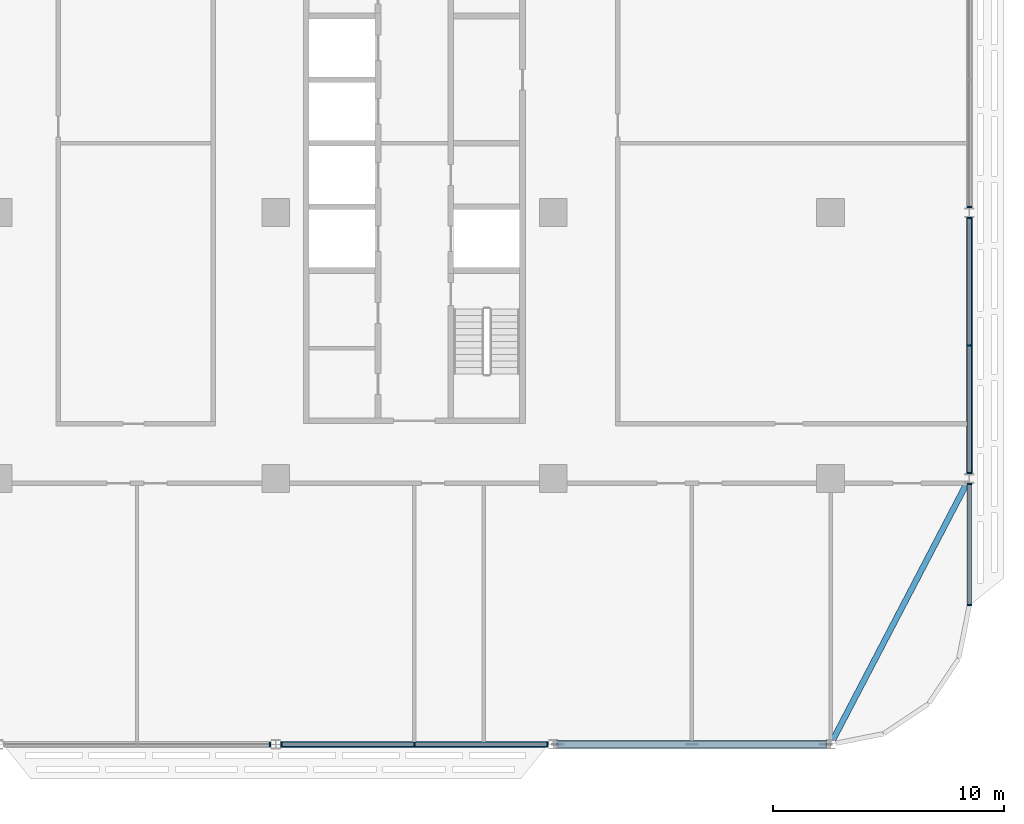
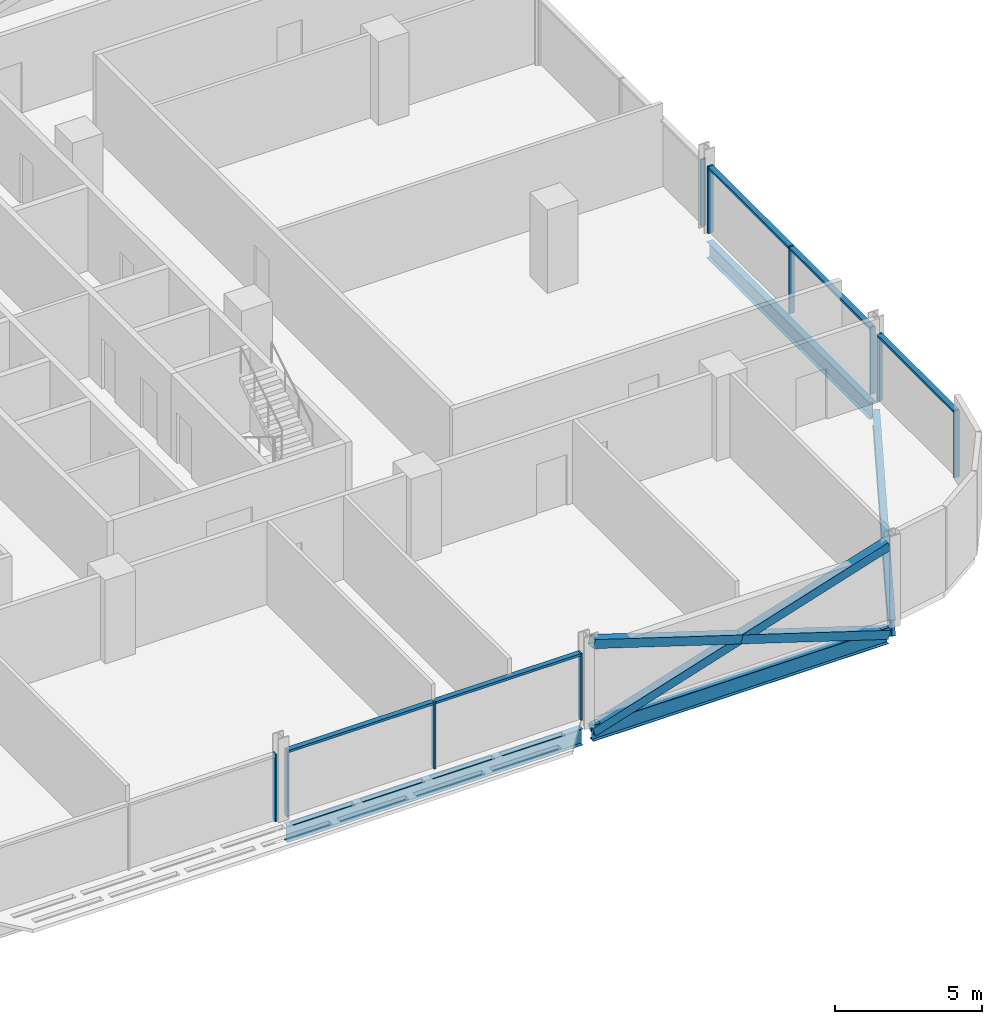
# One storey, part 8 of 27: 18 members, 4 beams, 5 elements without a shape of their own.
"""IFC4 building model written with IfcOpenShell, lengths in metres."""

from ifc_helpers import new_model, si_unit, direction, frame, origin, origin_2d, place, context, subcontext, project, spatial, rectangle, hollow_rectangle, i_section, extrude, material, material_profile, profile_set, type_object, element, aggregate, save


model = new_model("IFC4")

# Units and contexts
model_context = context("Model", 3, precision=1e-05, world=origin(), true_north=direction((0.0, 1.0)))
body_context = subcontext(model_context, "Body", "Model", "MODEL_VIEW")
ifc_project = project(units=[si_unit("LENGTHUNIT", "METRE"), si_unit("AREAUNIT", "SQUARE_METRE"), si_unit("VOLUMEUNIT", "CUBIC_METRE"), si_unit("PLANEANGLEUNIT", "RADIAN"), si_unit("MASSUNIT", "GRAM", prefix="KILO")], contexts=[model_context])

# Site, building, storey
site_placement = place(None, origin())
site = spatial("IfcSite", under=ifc_project, at=site_placement, CompositionType="ELEMENT")
building_placement = place(site_placement, origin())
building = spatial("IfcBuilding", under=site, at=building_placement, Name="Mahtab Terrace Research Tower", CompositionType="ELEMENT")
storey_placement = place(building_placement, frame((0.0, 0.0, 163.0)))
storey = spatial("IfcBuildingStorey", under=building, at=storey_placement, Name="L38", CompositionType="ELEMENT", Elevation=163.0)

# Members
ifc_material_1 = material(Name="Steel ASTM A500 Gr C", Category="steel")
ifc_material_profile_1 = material_profile(ifc_material_1, hollow_rectangle(XDim=0.355712890625, YDim=0.355712890625, WallThickness=0.015869140625, at=origin_2d()), Name="HSS14X14X5/8")
ifc_profile_set_1 = profile_set([ifc_material_profile_1], Name="Steel ASTM A500 Gr C")
member_type_1 = type_object("IfcMemberType", Name="HSS 14x14x5/8 brace XB141458", PredefinedType="BRACE", material=ifc_profile_set_1)
member_1_placement = place(storey_placement, frame((30.203125, -23.0, -0.61474609375), z_axis=(0.953341454971, 0.0, 0.301894137463), x_axis=(0.0, 1.0, 0.0)))
element("IfcMember", 1, at=member_1_placement, inside=storey, type_object=member_type_1, Name="Exoskeleton brace L38 18 a", PredefinedType="BRACE", context=body_context, shape_type="SweptSolid", body=[
    extrude(hollow_rectangle(XDim=0.355712890625, YDim=0.355712890625, WallThickness=0.015869140625, at=origin_2d()), origin(), (0.0, 0.0, 1.0), 12.1611328125),
])
for number, where, z_axis, x_axis, name in (
    (2, (41.796875, -23.0, -0.61474609375), (-0.953341454971, 0.0, 0.301894137463), (0.0, -1.0, 0.0), "Exoskeleton brace L38 18 b1"),
    (3, (36.0, -23.0, 1.220947265625), (-0.953341454971, 0.0, 0.301894137463), (0.0, -1.0, 0.0), "Exoskeleton brace L38 18 b2"),
):
    element("IfcMember", number, at=place(storey_placement, frame(where, z_axis=z_axis, x_axis=x_axis)), inside=storey, type_object=member_type_1, Name=name, PredefinedType="BRACE", context=body_context, shape_type="SweptSolid", body=[
        extrude(hollow_rectangle(XDim=0.355712890625, YDim=0.355712890625, WallThickness=0.015869140625, at=origin_2d()), origin(), (0.0, 0.0, 1.0), 6.08056640625),
    ])

# Curtain wall, member
ifc_material_2 = material(Name="Laboratory ribbon curtain wall")
curtain_wall_type = type_object("IfcCurtainWallType", Name="Laboratory ribbon curtain wall", PredefinedType="NOTDEFINED", material=ifc_material_2)
curtain_wall_1_placement = place(storey_placement, origin())
curtain_wall_1 = element("IfcCurtainWall", 4, at=curtain_wall_1_placement, inside=storey, type_object=curtain_wall_type, Name="EN.L38.13.27", PredefinedType="NOTDEFINED")
ifc_material_3 = material(Name="Natural anodised aluminium", Category="aluminium")
ifc_material_profile_2 = material_profile(ifc_material_3, rectangle(XDim=0.199951171875, YDim=0.06494140625, at=origin_2d()), Name="MULLION 65x200")
ifc_profile_set_2 = profile_set([ifc_material_profile_2], Name="Natural anodised aluminium")
member_type_2 = type_object("IfcMemberType", Name="Laboratory ribbon curtain wall mullion", PredefinedType="MULLION", material=ifc_profile_set_2)
member_2_placement = place(storey_placement, frame((17.759521484375, -23.0, 0.0), z_axis=(0.0, 0.0, 1.0), x_axis=(0.0, 1.0, 0.0)))
member_2 = element("IfcMember", 5, at=member_2_placement, type_object=member_type_2, Name="CWL-5 mullion 3", PredefinedType="MULLION", context=body_context, shape_type="SweptSolid", body=[
    extrude(rectangle(XDim=0.199951171875, YDim=0.06494140625, at=origin_2d()), origin(), (0.0, 0.0, 1.0), 2.78173828125),
])
aggregate(curtain_wall_1, [member_2])

# Curtain wall, members
curtain_wall_2_placement = place(storey_placement, origin())
curtain_wall_2 = element("IfcCurtainWall", 6, at=curtain_wall_2_placement, inside=storey, type_object=curtain_wall_type, Name="EN.L38.13.28", PredefinedType="NOTDEFINED")
member_3_placement = place(storey_placement, frame((18.240478515625, -23.0, 0.0), z_axis=(0.0, 0.0, 1.0), x_axis=(0.0, 1.0, 0.0)))
member_3 = element("IfcMember", 7, at=member_3_placement, type_object=member_type_2, Name="CWL-5 mullion 1", PredefinedType="MULLION", context=body_context, shape_type="SweptSolid", body=[
    extrude(rectangle(XDim=0.199951171875, YDim=0.06494140625, at=origin_2d()), origin(), (0.0, 0.0, 1.0), 2.78173828125),
])
member_4_placement = place(storey_placement, frame((24.0, -23.0, 0.0), z_axis=(0.0, 0.0, 1.0), x_axis=(0.0, 1.0, 0.0)))
member_4 = element("IfcMember", 8, at=member_4_placement, type_object=member_type_2, Name="CWL-5 mullion 2", PredefinedType="MULLION", context=body_context, shape_type="SweptSolid", body=[
    extrude(rectangle(XDim=0.199951171875, YDim=0.06494140625, at=origin_2d()), origin(), (0.0, 0.0, 1.0), 2.78173828125),
])
member_5_placement = place(storey_placement, frame((29.759521484375, -23.0, 0.0), z_axis=(0.0, 0.0, 1.0), x_axis=(0.0, 1.0, 0.0)))
member_5 = element("IfcMember", 9, at=member_5_placement, type_object=member_type_2, Name="CWL-5 mullion 3", PredefinedType="MULLION", context=body_context, shape_type="SweptSolid", body=[
    extrude(rectangle(XDim=0.199951171875, YDim=0.06494140625, at=origin_2d()), origin(), (0.0, 0.0, 1.0), 2.78173828125),
])

curtain_wall_3_placement = place(storey_placement, origin())
curtain_wall_3 = element("IfcCurtainWall", 10, at=curtain_wall_3_placement, inside=storey, type_object=curtain_wall_type, Name="EN.L38.18.34", PredefinedType="NOTDEFINED")
member_6_placement = place(storey_placement, frame((48.0, -16.967529296875, 0.0), z_axis=(0.0, 0.0, 1.0), x_axis=(-1.0, 0.0, 0.0)))
member_6 = element("IfcMember", 11, at=member_6_placement, type_object=member_type_2, Name="CWL-5 mullion 1", PredefinedType="MULLION", context=body_context, shape_type="SweptSolid", body=[
    extrude(rectangle(XDim=0.199951171875, YDim=0.06494140625, at=origin_2d()), origin(), (0.0, 0.0, 1.0), 2.78173828125),
])
member_7_placement = place(storey_placement, frame((48.0, -11.740478515625, 0.0), z_axis=(0.0, 0.0, 1.0), x_axis=(-1.0, 0.0, 0.0)))
member_7 = element("IfcMember", 12, at=member_7_placement, type_object=member_type_2, Name="CWL-5 mullion 2", PredefinedType="MULLION", context=body_context, shape_type="SweptSolid", body=[
    extrude(rectangle(XDim=0.199951171875, YDim=0.06494140625, at=origin_2d()), origin(), (0.0, 0.0, 1.0), 2.78173828125),
])

curtain_wall_4_placement = place(storey_placement, origin())
curtain_wall_4 = element("IfcCurtainWall", 13, at=curtain_wall_4_placement, inside=storey, type_object=curtain_wall_type, Name="EN.L38.18.35", PredefinedType="NOTDEFINED")
member_8_placement = place(storey_placement, frame((48.0, -11.259521484375, 0.0), z_axis=(0.0, 0.0, 1.0), x_axis=(-1.0, 0.0, 0.0)))
member_8 = element("IfcMember", 14, at=member_8_placement, type_object=member_type_2, Name="CWL-5 mullion 1", PredefinedType="MULLION", context=body_context, shape_type="SweptSolid", body=[
    extrude(rectangle(XDim=0.199951171875, YDim=0.06494140625, at=origin_2d()), origin(), (0.0, 0.0, 1.0), 2.78173828125),
])
member_9_placement = place(storey_placement, frame((48.0, -5.75, 0.0), z_axis=(0.0, 0.0, 1.0), x_axis=(-1.0, 0.0, 0.0)))
member_9 = element("IfcMember", 15, at=member_9_placement, type_object=member_type_2, Name="CWL-5 mullion 2", PredefinedType="MULLION", context=body_context, shape_type="SweptSolid", body=[
    extrude(rectangle(XDim=0.199951171875, YDim=0.06494140625, at=origin_2d()), origin(), (0.0, 0.0, 1.0), 2.78173828125),
])
member_10_placement = place(storey_placement, frame((48.0, -0.240478515625, 0.0), z_axis=(0.0, 0.0, 1.0), x_axis=(-1.0, 0.0, 0.0)))
member_10 = element("IfcMember", 16, at=member_10_placement, type_object=member_type_2, Name="CWL-5 mullion 3", PredefinedType="MULLION", context=body_context, shape_type="SweptSolid", body=[
    extrude(rectangle(XDim=0.199951171875, YDim=0.06494140625, at=origin_2d()), origin(), (0.0, 0.0, 1.0), 2.78173828125),
])

# Curtain wall, member
curtain_wall_5_placement = place(storey_placement, origin())
curtain_wall_5 = element("IfcCurtainWall", 17, at=curtain_wall_5_placement, inside=storey, type_object=curtain_wall_type, Name="EN.L38.18.36", PredefinedType="NOTDEFINED")
member_11_placement = place(storey_placement, frame((48.0, 0.240478515625, 0.0), z_axis=(0.0, 0.0, 1.0), x_axis=(-1.0, 0.0, 0.0)))
member_11 = element("IfcMember", 18, at=member_11_placement, type_object=member_type_2, Name="CWL-5 mullion 1", PredefinedType="MULLION", context=body_context, shape_type="SweptSolid", body=[
    extrude(rectangle(XDim=0.199951171875, YDim=0.06494140625, at=origin_2d()), origin(), (0.0, 0.0, 1.0), 2.78173828125),
])
aggregate(curtain_wall_5, [member_11])

# Member
ifc_material_profile_3 = material_profile(ifc_material_3, rectangle(XDim=0.199951171875, YDim=0.10009765625, at=origin_2d()), Name="TRANSOM 100x200")
ifc_profile_set_3 = profile_set([ifc_material_profile_3], Name="Natural anodised aluminium")
member_type_3 = type_object("IfcMemberType", Name="Laboratory ribbon curtain wall transom", PredefinedType="USERDEFINED", material=ifc_profile_set_3)
member_12_placement = place(storey_placement, frame((18.27294921875, -23.0, 2.731689453125), z_axis=(1.0, 0.0, 0.0), x_axis=(0.0, 1.0, 0.0)))
member_12 = element("IfcMember", 19, at=member_12_placement, type_object=member_type_3, Name="CWL-5 transom 1", ObjectType="TRANSOM", PredefinedType="USERDEFINED", context=body_context, shape_type="SweptSolid", body=[
    extrude(rectangle(XDim=0.199951171875, YDim=0.10009765625, at=origin_2d()), origin(), (0.0, 0.0, 1.0), 5.694580078125),
])

member_13_placement = place(storey_placement, frame((24.032470703125, -23.0, 2.731689453125), z_axis=(1.0, 0.0, 0.0), x_axis=(0.0, 1.0, 0.0)))
member_13 = element("IfcMember", 20, at=member_13_placement, type_object=member_type_3, Name="CWL-5 transom 2", ObjectType="TRANSOM", PredefinedType="USERDEFINED", context=body_context, shape_type="SweptSolid", body=[
    extrude(rectangle(XDim=0.199951171875, YDim=0.10009765625, at=origin_2d()), origin(), (0.0, 0.0, 1.0), 5.694580078125),
])

aggregate(curtain_wall_2, [member_3, member_4, member_5, member_12, member_13])

member_14_placement = place(storey_placement, frame((48.0, -16.93505859375, 2.731689453125), z_axis=(0.0, 1.0, 0.0), x_axis=(-1.0, 0.0, 0.0)))
member_14 = element("IfcMember", 21, at=member_14_placement, type_object=member_type_3, Name="CWL-5 transom 1", ObjectType="TRANSOM", PredefinedType="USERDEFINED", context=body_context, shape_type="SweptSolid", body=[
    extrude(rectangle(XDim=0.199951171875, YDim=0.10009765625, at=origin_2d()), origin(), (0.0, 0.0, 1.0), 5.162109375),
])

aggregate(curtain_wall_3, [member_6, member_7, member_14])

member_15_placement = place(storey_placement, frame((48.0, -11.22705078125, 2.731689453125), z_axis=(0.0, 1.0, 0.0), x_axis=(-1.0, 0.0, 0.0)))
member_15 = element("IfcMember", 22, at=member_15_placement, type_object=member_type_3, Name="CWL-5 transom 1", ObjectType="TRANSOM", PredefinedType="USERDEFINED", context=body_context, shape_type="SweptSolid", body=[
    extrude(rectangle(XDim=0.199951171875, YDim=0.10009765625, at=origin_2d()), origin(), (0.0, 0.0, 1.0), 5.444580078125),
])

member_16_placement = place(storey_placement, frame((48.0, -5.717529296875, 2.731689453125), z_axis=(0.0, 1.0, 0.0), x_axis=(-1.0, 0.0, 0.0)))
member_16 = element("IfcMember", 23, at=member_16_placement, type_object=member_type_3, Name="CWL-5 transom 2", ObjectType="TRANSOM", PredefinedType="USERDEFINED", context=body_context, shape_type="SweptSolid", body=[
    extrude(rectangle(XDim=0.199951171875, YDim=0.10009765625, at=origin_2d()), origin(), (0.0, 0.0, 1.0), 5.444580078125),
])

aggregate(curtain_wall_4, [member_8, member_9, member_10, member_15, member_16])

# Beams
ifc_material_4 = material(Name="Steel ASTM A992 Gr 50", Category="steel")
ifc_material_profile_4 = material_profile(ifc_material_4, i_section(OverallWidth=0.25390625, OverallDepth=0.67822265625, WebThickness=0.01171875, FlangeThickness=0.016357421875, at=origin_2d()), Name="W27X84")
ifc_profile_set_4 = profile_set([ifc_material_profile_4], Name="Steel ASTM A992 Gr 50")
beam_type = type_object("IfcBeamType", Name="W27x84 beam BS2784", PredefinedType="BEAM", material=ifc_profile_set_4)
for number, where, z_axis, x_axis, name in (
    (24, (18.203125, -23.0, -0.67919921875), (1.0, 0.0, 0.0), (0.0, 1.0, 0.0), "Spandrel beam L38 17"),
    (25, (30.203125, -23.0, -0.67919921875), (1.0, 0.0, 0.0), (0.0, 1.0, 0.0), "Spandrel beam L38 18"),
):
    element("IfcBeam", number, at=place(storey_placement, frame(where, z_axis=z_axis, x_axis=x_axis)), inside=storey, type_object=beam_type, Name=name, PredefinedType="BEAM", context=body_context, shape_type="SweptSolid", body=[
        extrude(i_section(OverallWidth=0.25390625, OverallDepth=0.67822265625, WebThickness=0.01171875, FlangeThickness=0.016357421875, at=origin_2d()), origin(), (0.0, 0.0, 1.0), 11.59375),
    ])
beam_1_placement = place(storey_placement, frame((42.108642578125, -22.791748046875, -0.67919921875), z_axis=(0.462567341525, 0.886584149731, 0.0), x_axis=(-0.886584149731, 0.462567341525, 0.0)))
element("IfcBeam", 26, at=beam_1_placement, inside=storey, type_object=beam_type, Name="Spandrel beam L38 19", PredefinedType="BEAM", context=body_context, shape_type="SweptSolid", body=[
    extrude(i_section(OverallWidth=0.25390625, OverallDepth=0.67822265625, WebThickness=0.01171875, FlangeThickness=0.016357421875, at=origin_2d()), origin(), (0.0, 0.0, 1.0), 12.50146484375),
])
beam_2_placement = place(storey_placement, frame((48.0, -11.291748046875, -0.67919921875), z_axis=(0.0, 1.0, 0.0), x_axis=(-1.0, 0.0, 0.0)))
element("IfcBeam", 27, at=beam_2_placement, inside=storey, type_object=beam_type, Name="Spandrel beam L38 20", PredefinedType="BEAM", context=body_context, shape_type="SweptSolid", body=[
    extrude(i_section(OverallWidth=0.25390625, OverallDepth=0.67822265625, WebThickness=0.01171875, FlangeThickness=0.016357421875, at=origin_2d()), origin(), (0.0, 0.0, 1.0), 11.08349609375),
])

save(model, "model.ifc")
